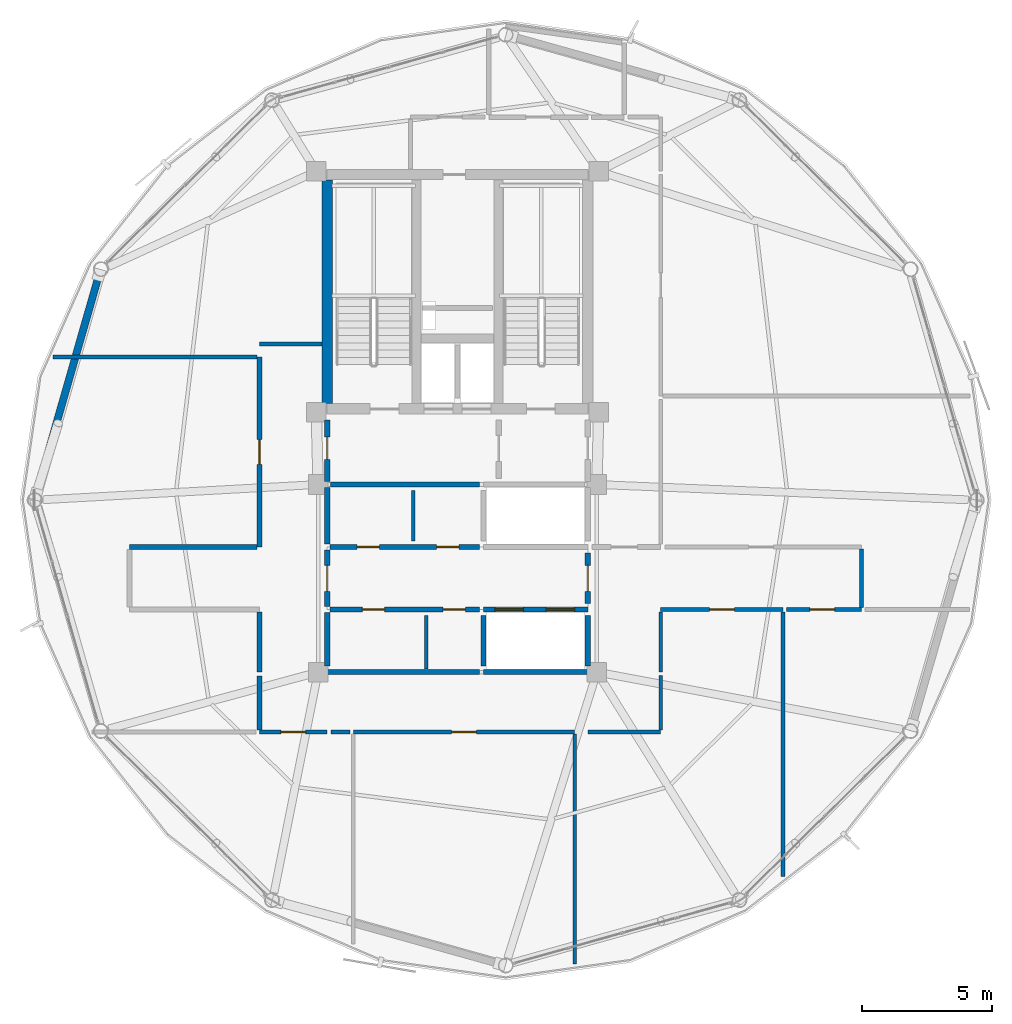
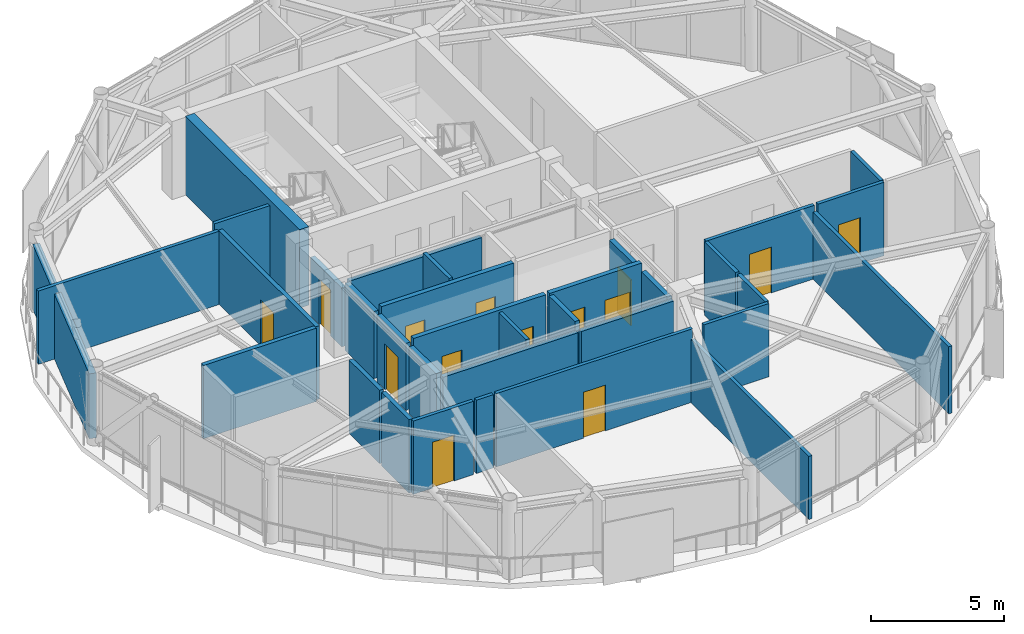
# One storey, part 20 of 26: 34 walls, 14 doors, 14 openings.
"""IFC4 building model written with IfcOpenShell, lengths in metres."""

from ifc_helpers import new_model, si_unit, direction, frame, frame_2d, origin, place, context, subcontext, project, spatial, rectangle, extrude, material, layer, layer_set, type_object, element, fill, save


model = new_model("IFC4")

# Units and contexts
model_context = context("Model", 3, precision=1e-05, world=origin(), true_north=direction((0.0, 1.0)))
body_context = subcontext(model_context, "Body", "Model", "MODEL_VIEW")
ifc_project = project(units=[si_unit("LENGTHUNIT", "METRE"), si_unit("AREAUNIT", "SQUARE_METRE"), si_unit("VOLUMEUNIT", "CUBIC_METRE"), si_unit("PLANEANGLEUNIT", "RADIAN"), si_unit("MASSUNIT", "GRAM", prefix="KILO")], contexts=[model_context])

# Site, building, storey
site_placement = place(None, origin())
site = spatial("IfcSite", under=ifc_project, at=site_placement, CompositionType="ELEMENT")
building_placement = place(site_placement, origin())
building = spatial("IfcBuilding", under=site, at=building_placement, Name="Varnakorn Sky Granary", CompositionType="ELEMENT")
storey_placement = place(building_placement, frame((0.0, 0.0, 270.60009765625)))
storey = spatial("IfcBuildingStorey", under=building, at=storey_placement, Name="L69", CompositionType="ELEMENT", Elevation=270.60009765625)

# Walls
ifc_material_1 = material(Name="Concrete C50/60", Category="concrete")
ifc_layer_1 = layer(ifc_material_1, 0.39990234375, Name="Concrete C50/60")
ifc_layer_set_1 = layer_set([ifc_layer_1], Name="Concrete C50/60")
wall_type_1 = type_object("IfcWallType", Name="WT-CW-SHEAR-400", PredefinedType="SHEAR", material=ifc_layer_set_1)
wall_1_placement = place(storey_placement, frame((-2.0, 3.7099609375, 0.0), z_axis=(0.0, 0.0, 1.0), x_axis=(0.0, 1.0, 0.0)))
element("IfcWall", 1, at=wall_1_placement, inside=storey, type_object=wall_type_1, Name="Core West Shear Wall L69", PredefinedType="SHEAR", context=body_context, shape_type="SweptSolid", body=[
    extrude(rectangle(XDim=8.580078125, YDim=0.39990234375, at=frame_2d((4.2900390625, 0.0))), origin(), (0.0, 0.0, 1.0), 3.591796875),
])
ifc_material_2 = material(Name="Precast concrete C40/50", Category="concrete")
ifc_layer_2 = layer(ifc_material_2, 0.280029296875, Name="Precast concrete C40/50")
ifc_layer_set_2 = layer_set([ifc_layer_2], Name="Precast concrete C40/50")
wall_type_2 = type_object("IfcWallType", Name="WT-EW-CRN-280", PredefinedType="SOLIDWALL", material=ifc_layer_set_2)
wall_2_placement = place(storey_placement, frame((-13.17431640625, 0.225341796875, 0.0), z_axis=(0.0, 0.0, 1.0), x_axis=(0.275406116601, 0.961327972619, 0.0)))
element("IfcWall", 2, at=wall_2_placement, inside=storey, type_object=wall_type_2, Name="Agritech Insulated Precast Facade Wall L69-P06", PredefinedType="SOLIDWALL", context=body_context, shape_type="SweptSolid", body=[
    extrude(rectangle(XDim=8.7548828125, YDim=0.280029296875, at=frame_2d((4.37744140625, 0.0))), origin(), (0.0, 0.0, 1.0), 2.969970703125),
])

# Wall, opening, door
ifc_material_3 = material(Name="Autoclaved Aerated Concrete Blockwork", Category="masonry")
ifc_layer_3 = layer(ifc_material_3, 0.199951171875, Name="Autoclaved Aerated Concrete Blockwork")
ifc_layer_set_3 = layer_set([ifc_layer_3], Name="Autoclaved Aerated Concrete Blockwork")
wall_type_3 = type_object("IfcWallType", Name="WT-FIRE-200", PredefinedType="MOVABLE", material=ifc_layer_set_3)
wall_3_placement = place(storey_placement, frame((-2.0, 0.719970703125, 0.0), z_axis=(0.0, 0.0, 1.0), x_axis=(0.0, 1.0, 0.0)))
wall_3 = element("IfcWall", 3, at=wall_3_placement, inside=storey, type_object=wall_type_3, Name="Interior Partition Wall L69-012", PredefinedType="MOVABLE", context=body_context, shape_type="SweptSolid", body=[
    extrude(rectangle(XDim=2.35009765625, YDim=0.199951171875, at=frame_2d((1.175048828125, 0.0))), origin(), (0.0, 0.0, 1.0), 2.69189453125),
])
opening_1_placement = place(wall_3_placement, frame((0.844970703125, 0.0, 0.0)))
opening_1 = element("IfcOpeningElement", 4, at=opening_1_placement, cuts=wall_3, Name="Opening FD-60N", PredefinedType="OPENING", context=body_context, shape_type="SweptSolid", body=[
    extrude(rectangle(XDim=0.85009765625, YDim=2.10009765625, at=frame_2d((0.425048828125, 1.050048828125))), frame((0.0, 0.10986328125, 0.0), z_axis=(0.0, -1.0, 0.0), x_axis=(1.0, 0.0, 0.0)), (0.0, 0.0, 1.0), 0.219970703125),
])
ifc_material_4 = material(Name="Acoustic Timber Fire Leaf", Category="wood")
door_type_1 = type_object("IfcDoorType", Name="DR-FD60-850", OperationType="NOTDEFINED", PredefinedType="DOOR", material=ifc_material_4)
door_1_placement = place(opening_1_placement, origin())
door_1 = element("IfcDoor", 5, at=door_1_placement, inside=storey, type_object=door_type_1, Name="Interior Door L69-012-1", OperationType="SINGLE_SWING_RIGHT", OverallHeight=2.10009765625, OverallWidth=0.85009765625, PredefinedType="DOOR", context=body_context, shape_type="SweptSolid", body=[
    extrude(rectangle(XDim=0.85009765625, YDim=2.10009765625, at=frame_2d((0.425048828125, 1.050048828125))), frame((0.0, 0.02490234375, 0.0), z_axis=(0.0, -1.0, 0.0), x_axis=(1.0, 0.0, 0.0)), (0.0, 0.0, 1.0), 0.050048828125),
])
fill(opening_1, door_1)

wall_4_placement = place(storey_placement, frame((-2.0, -4.080078125, 0.0), z_axis=(0.0, 0.0, 1.0), x_axis=(0.0, 1.0, 0.0)))
wall_4 = element("IfcWall", 6, at=wall_4_placement, inside=storey, type_object=wall_type_3, Name="Interior Partition Wall L69-014", PredefinedType="MOVABLE", context=body_context, shape_type="SweptSolid", body=[
    extrude(rectangle(XDim=2.16015625, YDim=0.199951171875, at=frame_2d((1.080078125, 0.0))), origin(), (0.0, 0.0, 1.0), 3.072021484375),
])
opening_2_placement = place(wall_4_placement, frame((0.580078125, 0.0, 0.0)))
opening_2 = element("IfcOpeningElement", 7, at=opening_2_placement, cuts=wall_4, Name="Opening FD-60", PredefinedType="OPENING", context=body_context, shape_type="SweptSolid", body=[
    extrude(rectangle(XDim=1.0, YDim=2.10009765625, at=frame_2d((0.5, 1.050048828125))), frame((0.0, 0.10986328125, 0.0), z_axis=(0.0, -1.0, 0.0), x_axis=(1.0, 0.0, 0.0)), (0.0, 0.0, 1.0), 0.219970703125),
])
door_type_2 = type_object("IfcDoorType", Name="DR-FD60-1000", OperationType="NOTDEFINED", PredefinedType="DOOR", material=ifc_material_4)
door_2_placement = place(opening_2_placement, origin())
door_2 = element("IfcDoor", 8, at=door_2_placement, inside=storey, type_object=door_type_2, Name="Interior Door L69-014-1", OperationType="SINGLE_SWING_RIGHT", OverallHeight=2.10009765625, OverallWidth=1.0, PredefinedType="DOOR", context=body_context, shape_type="SweptSolid", body=[
    extrude(rectangle(XDim=1.0, YDim=2.10009765625, at=frame_2d((0.5, 1.050048828125))), frame((0.0, 0.02490234375, 0.0), z_axis=(0.0, -1.0, 0.0), x_axis=(1.0, 0.0, 0.0)), (0.0, 0.0, 1.0), 0.050048828125),
])
fill(opening_2, door_2)

wall_5_placement = place(storey_placement, frame((8.0, -3.969970703125, 0.0), z_axis=(0.0, 0.0, 1.0), x_axis=(0.0, 1.0, 0.0)))
wall_5 = element("IfcWall", 9, at=wall_5_placement, inside=storey, type_object=wall_type_3, Name="Interior Partition Wall L69-015", PredefinedType="MOVABLE", context=body_context, shape_type="SweptSolid", body=[
    extrude(rectangle(XDim=1.93994140625, YDim=0.199951171875, at=frame_2d((0.969970703125, 0.0))), origin(), (0.0, 0.0, 1.0), 3.072021484375),
])
opening_3_placement = place(wall_5_placement, frame((0.469970703125, 0.0, 0.0)))
opening_3 = element("IfcOpeningElement", 10, at=opening_3_placement, cuts=wall_5, Name="Opening FD-60", PredefinedType="OPENING", context=body_context, shape_type="SweptSolid", body=[
    extrude(rectangle(XDim=1.0, YDim=2.10009765625, at=frame_2d((0.5, 1.050048828125))), frame((0.0, 0.10986328125, 0.0), z_axis=(0.0, -1.0, 0.0), x_axis=(1.0, 0.0, 0.0)), (0.0, 0.0, 1.0), 0.219970703125),
])
door_3_placement = place(opening_3_placement, origin())
door_3 = element("IfcDoor", 11, at=door_3_placement, inside=storey, type_object=door_type_2, Name="Interior Door L69-015-1", OperationType="SINGLE_SWING_LEFT", OverallHeight=2.10009765625, OverallWidth=1.0, PredefinedType="DOOR", context=body_context, shape_type="SweptSolid", body=[
    extrude(rectangle(XDim=1.0, YDim=2.10009765625, at=frame_2d((0.5, 1.050048828125))), frame((0.0, 0.02490234375, 0.0), z_axis=(0.0, -1.0, 0.0), x_axis=(1.0, 0.0, 0.0)), (0.0, 0.0, 1.0), 0.050048828125),
])
fill(opening_3, door_3)

# Wall, openings, doors
wall_6_placement = place(storey_placement, frame((-1.889892578125, -1.800048828125, 0.0), z_axis=(0.0, 0.0, 1.0), x_axis=(1.0, 0.0, 0.0)))
wall_6 = element("IfcWall", 12, at=wall_6_placement, inside=storey, type_object=wall_type_3, Name="Interior Partition Wall L69-016", PredefinedType="MOVABLE", context=body_context, shape_type="SweptSolid", body=[
    extrude(rectangle(XDim=5.72998046875, YDim=0.199951171875, at=frame_2d((2.864990234375, 0.0))), origin(), (0.0, 0.0, 1.0), 3.35986328125),
])
opening_4_placement = place(wall_6_placement, frame((1.0400390625, 0.0, 0.0)))
opening_4 = element("IfcOpeningElement", 13, at=opening_4_placement, cuts=wall_6, Name="Opening FD-60N", PredefinedType="OPENING", context=body_context, shape_type="SweptSolid", body=[
    extrude(rectangle(XDim=0.85009765625, YDim=2.10009765625, at=frame_2d((0.425048828125, 1.050048828125))), frame((0.0, 0.10986328125, 0.0), z_axis=(0.0, -1.0, 0.0), x_axis=(1.0, 0.0, 0.0)), (0.0, 0.0, 1.0), 0.219970703125),
])
opening_5_placement = place(wall_6_placement, frame((4.090087890625, 0.0, 0.0)))
opening_5 = element("IfcOpeningElement", 14, at=opening_5_placement, cuts=wall_6, Name="Opening FD-60N", PredefinedType="OPENING", context=body_context, shape_type="SweptSolid", body=[
    extrude(rectangle(XDim=0.85009765625, YDim=2.10009765625, at=frame_2d((0.425048828125, 1.050048828125))), frame((0.0, 0.10986328125, 0.0), z_axis=(0.0, -1.0, 0.0), x_axis=(1.0, 0.0, 0.0)), (0.0, 0.0, 1.0), 0.219970703125),
])
door_4_placement = place(opening_4_placement, origin())
door_4 = element("IfcDoor", 15, at=door_4_placement, inside=storey, type_object=door_type_1, Name="Interior Door L69-016-1", OperationType="SINGLE_SWING_RIGHT", OverallHeight=2.10009765625, OverallWidth=0.85009765625, PredefinedType="DOOR", context=body_context, shape_type="SweptSolid", body=[
    extrude(rectangle(XDim=0.85009765625, YDim=2.10009765625, at=frame_2d((0.425048828125, 1.050048828125))), frame((0.0, 0.02490234375, 0.0), z_axis=(0.0, -1.0, 0.0), x_axis=(1.0, 0.0, 0.0)), (0.0, 0.0, 1.0), 0.050048828125),
])
fill(opening_4, door_4)
door_5_placement = place(opening_5_placement, origin())
door_5 = element("IfcDoor", 16, at=door_5_placement, inside=storey, type_object=door_type_1, Name="Interior Door L69-016-2", OperationType="SINGLE_SWING_LEFT", OverallHeight=2.10009765625, OverallWidth=0.85009765625, PredefinedType="DOOR", context=body_context, shape_type="SweptSolid", body=[
    extrude(rectangle(XDim=0.85009765625, YDim=2.10009765625, at=frame_2d((0.425048828125, 1.050048828125))), frame((0.0, 0.02490234375, 0.0), z_axis=(0.0, -1.0, 0.0), x_axis=(1.0, 0.0, 0.0)), (0.0, 0.0, 1.0), 0.050048828125),
])
fill(opening_5, door_5)

wall_7_placement = place(storey_placement, frame((-1.889892578125, -4.199951171875, 0.0), z_axis=(0.0, 0.0, 1.0), x_axis=(1.0, 0.0, 0.0)))
wall_7 = element("IfcWall", 17, at=wall_7_placement, inside=storey, type_object=wall_type_3, Name="Interior Partition Wall L69-017", PredefinedType="MOVABLE", context=body_context, shape_type="SweptSolid", body=[
    extrude(rectangle(XDim=5.72998046875, YDim=0.199951171875, at=frame_2d((2.864990234375, 0.0))), origin(), (0.0, 0.0, 1.0), 3.35986328125),
])
opening_6_placement = place(wall_7_placement, frame((1.239990234375, 0.0, 0.0)))
opening_6 = element("IfcOpeningElement", 18, at=opening_6_placement, cuts=wall_7, Name="Opening FD-60N", PredefinedType="OPENING", context=body_context, shape_type="SweptSolid", body=[
    extrude(rectangle(XDim=0.85009765625, YDim=2.10009765625, at=frame_2d((0.425048828125, 1.050048828125))), frame((0.0, 0.10986328125, 0.0), z_axis=(0.0, -1.0, 0.0), x_axis=(1.0, 0.0, 0.0)), (0.0, 0.0, 1.0), 0.219970703125),
])
opening_7_placement = place(wall_7_placement, frame((4.340087890625, 0.0, 0.0)))
opening_7 = element("IfcOpeningElement", 19, at=opening_7_placement, cuts=wall_7, Name="Opening FD-60N", PredefinedType="OPENING", context=body_context, shape_type="SweptSolid", body=[
    extrude(rectangle(XDim=0.85009765625, YDim=2.10009765625, at=frame_2d((0.425048828125, 1.050048828125))), frame((0.0, 0.10986328125, 0.0), z_axis=(0.0, -1.0, 0.0), x_axis=(1.0, 0.0, 0.0)), (0.0, 0.0, 1.0), 0.219970703125),
])
door_6_placement = place(opening_6_placement, origin())
door_6 = element("IfcDoor", 20, at=door_6_placement, inside=storey, type_object=door_type_1, Name="Interior Door L69-017-1", OperationType="SINGLE_SWING_RIGHT", OverallHeight=2.10009765625, OverallWidth=0.85009765625, PredefinedType="DOOR", context=body_context, shape_type="SweptSolid", body=[
    extrude(rectangle(XDim=0.85009765625, YDim=2.10009765625, at=frame_2d((0.425048828125, 1.050048828125))), frame((0.0, 0.02490234375, 0.0), z_axis=(0.0, -1.0, 0.0), x_axis=(1.0, 0.0, 0.0)), (0.0, 0.0, 1.0), 0.050048828125),
])
fill(opening_6, door_6)
door_7_placement = place(opening_7_placement, origin())
door_7 = element("IfcDoor", 21, at=door_7_placement, inside=storey, type_object=door_type_1, Name="Interior Door L69-017-2", OperationType="SINGLE_SWING_LEFT", OverallHeight=2.10009765625, OverallWidth=0.85009765625, PredefinedType="DOOR", context=body_context, shape_type="SweptSolid", body=[
    extrude(rectangle(XDim=0.85009765625, YDim=2.10009765625, at=frame_2d((0.425048828125, 1.050048828125))), frame((0.0, 0.02490234375, 0.0), z_axis=(0.0, -1.0, 0.0), x_axis=(1.0, 0.0, 0.0)), (0.0, 0.0, 1.0), 0.050048828125),
])
fill(opening_7, door_7)

# Walls
wall_8_placement = place(storey_placement, frame((-1.8798828125, 0.60009765625, 0.0), z_axis=(0.0, 0.0, 1.0), x_axis=(1.0, 0.0, 0.0)))
element("IfcWall", 22, at=wall_8_placement, inside=storey, type_object=wall_type_3, Name="Interior Partition Wall L69-028", PredefinedType="MOVABLE", context=body_context, shape_type="SweptSolid", body=[
    extrude(rectangle(XDim=5.719970703125, YDim=0.199951171875, at=frame_2d((2.85986328125, 0.0))), origin(), (0.0, 0.0, 1.0), 3.072021484375),
])
wall_9_placement = place(storey_placement, frame((-2.0, -1.679931640625, 0.0), z_axis=(0.0, 0.0, 1.0), x_axis=(0.0, 1.0, 0.0)))
element("IfcWall", 23, at=wall_9_placement, inside=storey, type_object=wall_type_3, Name="Interior Partition Wall L69-030", PredefinedType="MOVABLE", context=body_context, shape_type="SweptSolid", body=[
    extrude(rectangle(XDim=2.159912109375, YDim=0.199951171875, at=frame_2d((1.080078125, 0.0))), origin(), (0.0, 0.0, 1.0), 3.072021484375),
])
wall_10_placement = place(storey_placement, frame((-2.0, -6.60009765625, 0.0), z_axis=(0.0, 0.0, 1.0), x_axis=(1.0, 0.0, 0.0)))
element("IfcWall", 24, at=wall_10_placement, inside=storey, type_object=wall_type_3, Name="Interior Partition Wall L69-032", PredefinedType="MOVABLE", context=body_context, shape_type="SweptSolid", body=[
    extrude(rectangle(XDim=5.840087890625, YDim=0.199951171875, at=frame_2d((2.919921875, 0.0))), origin(), (0.0, 0.0, 1.0), 3.072021484375),
])
wall_11_placement = place(storey_placement, frame((-2.0, -6.3701171875, 0.0), z_axis=(0.0, 0.0, 1.0), x_axis=(0.0, 1.0, 0.0)))
element("IfcWall", 25, at=wall_11_placement, inside=storey, type_object=wall_type_3, Name="Interior Partition Wall L69-033", PredefinedType="MOVABLE", context=body_context, shape_type="SweptSolid", body=[
    extrude(rectangle(XDim=2.050048828125, YDim=0.199951171875, at=frame_2d((1.02490234375, 0.0))), origin(), (0.0, 0.0, 1.0), 3.072021484375),
])

# Wall, opening, door
ifc_material_5 = material(Name="Gypsum Plasterboard on Steel Stud", Category="steel")
ifc_layer_4 = layer(ifc_material_5, 0.14990234375, Name="Gypsum Plasterboard on Steel Stud")
ifc_layer_set_4 = layer_set([ifc_layer_4], Name="Gypsum Plasterboard on Steel Stud")
wall_type_4 = type_object("IfcWallType", Name="WT-PART-150", PredefinedType="PARTITIONING", material=ifc_layer_set_4)
wall_12_placement = place(storey_placement, frame((-4.60009765625, -8.89990234375, 0.0), z_axis=(0.0, 0.0, 1.0), x_axis=(1.0, 0.0, 0.0)))
wall_12 = element("IfcWall", 26, at=wall_12_placement, inside=storey, type_object=wall_type_4, Name="Interior Partition Wall L69-020", PredefinedType="PARTITIONING", context=body_context, shape_type="SweptSolid", body=[
    extrude(rectangle(XDim=2.60009765625, YDim=0.14990234375, at=frame_2d((1.300048828125, 0.0))), origin(), (0.0, 0.0, 1.0), 3.35986328125),
])
opening_8_placement = place(wall_12_placement, frame((0.824951171875, 0.0, 0.0)))
opening_8 = element("IfcOpeningElement", 27, at=opening_8_placement, cuts=wall_12, Name="Opening ID-95", PredefinedType="OPENING", context=body_context, shape_type="SweptSolid", body=[
    extrude(rectangle(XDim=0.949951171875, YDim=2.10009765625, at=frame_2d((0.47509765625, 1.050048828125))), frame((0.0, 0.0849609375, 0.0), z_axis=(0.0, -1.0, 0.0), x_axis=(1.0, 0.0, 0.0)), (0.0, 0.0, 1.0), 0.169921875),
])
ifc_material_6 = material(Name="Solid-Core Teak Veneer Leaf", Category="timber")
door_type_3 = type_object("IfcDoorType", Name="DR-INT-950", OperationType="NOTDEFINED", PredefinedType="DOOR", material=ifc_material_6)
door_8_placement = place(opening_8_placement, origin())
door_8 = element("IfcDoor", 28, at=door_8_placement, inside=storey, type_object=door_type_3, Name="Interior Door L69-020-1", OperationType="SINGLE_SWING_RIGHT", OverallHeight=2.10009765625, OverallWidth=0.949951171875, PredefinedType="DOOR", context=body_context, shape_type="SweptSolid", body=[
    extrude(rectangle(XDim=0.949951171875, YDim=2.10009765625, at=frame_2d((0.47509765625, 1.050048828125))), frame((0.0, 0.02490234375, 0.0), z_axis=(0.0, -1.0, 0.0), x_axis=(1.0, 0.0, 0.0)), (0.0, 0.0, 1.0), 0.050048828125),
])
fill(opening_8, door_8)

wall_13_placement = place(storey_placement, frame((-1.0, -8.89990234375, 0.0), z_axis=(0.0, 0.0, 1.0), x_axis=(1.0, 0.0, 0.0)))
wall_13 = element("IfcWall", 29, at=wall_13_placement, inside=storey, type_object=wall_type_4, Name="Interior Partition Wall L69-021", PredefinedType="PARTITIONING", context=body_context, shape_type="SweptSolid", body=[
    extrude(rectangle(XDim=8.5, YDim=0.14990234375, at=frame_2d((4.25, 0.0))), origin(), (0.0, 0.0, 1.0), 3.35986328125),
])
opening_9_placement = place(wall_13_placement, frame((3.77490234375, 0.0, 0.0)))
opening_9 = element("IfcOpeningElement", 30, at=opening_9_placement, cuts=wall_13, Name="Opening ID-95", PredefinedType="OPENING", context=body_context, shape_type="SweptSolid", body=[
    extrude(rectangle(XDim=0.949951171875, YDim=2.10009765625, at=frame_2d((0.47509765625, 1.050048828125))), frame((0.0, 0.0849609375, 0.0), z_axis=(0.0, -1.0, 0.0), x_axis=(1.0, 0.0, 0.0)), (0.0, 0.0, 1.0), 0.169921875),
])
door_9_placement = place(opening_9_placement, origin())
door_9 = element("IfcDoor", 31, at=door_9_placement, inside=storey, type_object=door_type_3, Name="Interior Door L69-021-1", OperationType="SINGLE_SWING_LEFT", OverallHeight=2.10009765625, OverallWidth=0.949951171875, PredefinedType="DOOR", context=body_context, shape_type="SweptSolid", body=[
    extrude(rectangle(XDim=0.949951171875, YDim=2.10009765625, at=frame_2d((0.47509765625, 1.050048828125))), frame((0.0, 0.02490234375, 0.0), z_axis=(0.0, -1.0, 0.0), x_axis=(1.0, 0.0, 0.0)), (0.0, 0.0, 1.0), 0.050048828125),
])
fill(opening_9, door_9)

wall_14_placement = place(storey_placement, frame((10.800048828125, -4.199951171875, 0.0), z_axis=(0.0, 0.0, 1.0), x_axis=(1.0, 0.0, 0.0)))
wall_14 = element("IfcWall", 32, at=wall_14_placement, inside=storey, type_object=wall_type_4, Name="Interior Partition Wall L69-022", PredefinedType="PARTITIONING", context=body_context, shape_type="SweptSolid", body=[
    extrude(rectangle(XDim=4.699951171875, YDim=0.14990234375, at=frame_2d((2.35009765625, 0.0))), origin(), (0.0, 0.0, 1.0), 3.35986328125),
])
opening_10_placement = place(wall_14_placement, frame((1.875, 0.0, 0.0)))
opening_10 = element("IfcOpeningElement", 33, at=opening_10_placement, cuts=wall_14, Name="Opening ID-95", PredefinedType="OPENING", context=body_context, shape_type="SweptSolid", body=[
    extrude(rectangle(XDim=0.949951171875, YDim=2.10009765625, at=frame_2d((0.47509765625, 1.050048828125))), frame((0.0, 0.0849609375, 0.0), z_axis=(0.0, -1.0, 0.0), x_axis=(1.0, 0.0, 0.0)), (0.0, 0.0, 1.0), 0.169921875),
])
door_10_placement = place(opening_10_placement, origin())
door_10 = element("IfcDoor", 34, at=door_10_placement, inside=storey, type_object=door_type_3, Name="Interior Door L69-022-1", OperationType="SINGLE_SWING_RIGHT", OverallHeight=2.10009765625, OverallWidth=0.949951171875, PredefinedType="DOOR", context=body_context, shape_type="SweptSolid", body=[
    extrude(rectangle(XDim=0.949951171875, YDim=2.10009765625, at=frame_2d((0.47509765625, 1.050048828125))), frame((0.0, 0.02490234375, 0.0), z_axis=(0.0, -1.0, 0.0), x_axis=(1.0, 0.0, 0.0)), (0.0, 0.0, 1.0), 0.050048828125),
])
fill(opening_10, door_10)

wall_15_placement = place(storey_placement, frame((15.635009765625, -4.199951171875, 0.0), z_axis=(0.0, 0.0, 1.0), x_axis=(1.0, 0.0, 0.0)))
wall_15 = element("IfcWall", 35, at=wall_15_placement, inside=storey, type_object=wall_type_4, Name="Interior Partition Wall L69-023", PredefinedType="PARTITIONING", context=body_context, shape_type="SweptSolid", body=[
    extrude(rectangle(XDim=2.864990234375, YDim=0.14990234375, at=frame_2d((1.4326171875, 0.0))), origin(), (0.0, 0.0, 1.0), 3.35986328125),
])
opening_11_placement = place(wall_15_placement, frame((0.889892578125, 0.0, 0.0)))
opening_11 = element("IfcOpeningElement", 36, at=opening_11_placement, cuts=wall_15, Name="Opening ID-95", PredefinedType="OPENING", context=body_context, shape_type="SweptSolid", body=[
    extrude(rectangle(XDim=0.949951171875, YDim=2.10009765625, at=frame_2d((0.47509765625, 1.050048828125))), frame((0.0, 0.0849609375, 0.0), z_axis=(0.0, -1.0, 0.0), x_axis=(1.0, 0.0, 0.0)), (0.0, 0.0, 1.0), 0.169921875),
])
door_11_placement = place(opening_11_placement, origin())
door_11 = element("IfcDoor", 37, at=door_11_placement, inside=storey, type_object=door_type_3, Name="Interior Door L69-023-1", OperationType="SINGLE_SWING_LEFT", OverallHeight=2.10009765625, OverallWidth=0.949951171875, PredefinedType="DOOR", context=body_context, shape_type="SweptSolid", body=[
    extrude(rectangle(XDim=0.949951171875, YDim=2.10009765625, at=frame_2d((0.47509765625, 1.050048828125))), frame((0.0, 0.02490234375, 0.0), z_axis=(0.0, -1.0, 0.0), x_axis=(1.0, 0.0, 0.0)), (0.0, 0.0, 1.0), 0.050048828125),
])
fill(opening_11, door_11)

# Walls
wall_16_placement = place(storey_placement, frame((1.300048828125, -1.570068359375, 0.0), z_axis=(0.0, 0.0, 1.0), x_axis=(0.0, 1.0, 0.0)))
element("IfcWall", 38, at=wall_16_placement, inside=storey, type_object=wall_type_4, Name="Interior Partition Wall L69-029", PredefinedType="PARTITIONING", context=body_context, shape_type="SweptSolid", body=[
    extrude(rectangle(XDim=1.940185546875, YDim=0.14990234375, at=frame_2d((0.97021484375, 0.0))), origin(), (0.0, 0.0, 1.0), 3.35986328125),
])
wall_17_placement = place(storey_placement, frame((1.800048828125, -6.47998046875, 0.0), z_axis=(0.0, 0.0, 1.0), x_axis=(0.0, 1.0, 0.0)))
element("IfcWall", 39, at=wall_17_placement, inside=storey, type_object=wall_type_4, Name="Interior Partition Wall L69-031", PredefinedType="PARTITIONING", context=body_context, shape_type="SweptSolid", body=[
    extrude(rectangle(XDim=2.050048828125, YDim=0.14990234375, at=frame_2d((1.02490234375, 0.0))), origin(), (0.0, 0.0, 1.0), 3.35986328125),
])
wall_18_placement = place(storey_placement, frame((-1.864990234375, -8.89990234375, 0.0), z_axis=(0.0, 0.0, 1.0), x_axis=(1.0, 0.0, 0.0)))
element("IfcWall", 40, at=wall_18_placement, inside=storey, type_object=wall_type_4, Name="Interior Partition Wall L69-035", PredefinedType="PARTITIONING", context=body_context, shape_type="SweptSolid", body=[
    extrude(rectangle(XDim=0.72998046875, YDim=0.14990234375, at=frame_2d((0.364990234375, 0.0))), origin(), (0.0, 0.0, 1.0), 3.35986328125),
])
wall_19_placement = place(storey_placement, frame((7.5, -8.985107421875, 0.0), z_axis=(0.0, 0.0, 1.0), x_axis=(0.0, -1.0, 0.0)))
element("IfcWall", 41, at=wall_19_placement, inside=storey, type_object=wall_type_4, Name="Interior Partition Wall L69-038", PredefinedType="PARTITIONING", context=body_context, shape_type="SweptSolid", body=[
    extrude(rectangle(XDim=8.823974609375, YDim=0.14990234375, at=frame_2d((4.412109375, 0.0))), origin(), (0.0, 0.0, 1.0), 2.891845703125),
])
wall_20_placement = place(storey_placement, frame((8.0, -8.89990234375, 0.0), z_axis=(0.0, 0.0, 1.0), x_axis=(1.0, 0.0, 0.0)))
element("IfcWall", 42, at=wall_20_placement, inside=storey, type_object=wall_type_4, Name="Interior Partition Wall L69-039", PredefinedType="PARTITIONING", context=body_context, shape_type="SweptSolid", body=[
    extrude(rectangle(XDim=2.800048828125, YDim=0.14990234375, at=frame_2d((1.39990234375, 0.0))), origin(), (0.0, 0.0, 1.0), 3.35986328125),
])
wall_21_placement = place(storey_placement, frame((10.800048828125, -6.60009765625, 0.0), z_axis=(0.0, 0.0, 1.0), x_axis=(0.0, 1.0, 0.0)))
element("IfcWall", 43, at=wall_21_placement, inside=storey, type_object=wall_type_4, Name="Interior Partition Wall L69-040", PredefinedType="PARTITIONING", context=body_context, shape_type="SweptSolid", body=[
    extrude(rectangle(XDim=2.315185546875, YDim=0.14990234375, at=frame_2d((1.15771484375, 0.0))), origin(), (0.0, 0.0, 1.0), 3.35986328125),
])
wall_22_placement = place(storey_placement, frame((10.800048828125, -8.81494140625, 0.0), z_axis=(0.0, 0.0, 1.0), x_axis=(0.0, 1.0, 0.0)))
element("IfcWall", 44, at=wall_22_placement, inside=storey, type_object=wall_type_4, Name="Interior Partition Wall L69-041", PredefinedType="PARTITIONING", context=body_context, shape_type="SweptSolid", body=[
    extrude(rectangle(XDim=2.079833984375, YDim=0.14990234375, at=frame_2d((1.0400390625, 0.0))), origin(), (0.0, 0.0, 1.0), 3.35986328125),
])
wall_23_placement = place(storey_placement, frame((15.5, -4.284912109375, 0.0), z_axis=(0.0, 0.0, 1.0), x_axis=(0.0, -1.0, 0.0)))
element("IfcWall", 45, at=wall_23_placement, inside=storey, type_object=wall_type_4, Name="Interior Partition Wall L69-042", PredefinedType="PARTITIONING", context=body_context, shape_type="SweptSolid", body=[
    extrude(rectangle(XDim=10.16796875, YDim=0.14990234375, at=frame_2d((5.083984375, 0.0))), origin(), (0.0, 0.0, 1.0), 3.072021484375),
])
wall_24_placement = place(storey_placement, frame((-12.52197265625, 5.5, 0.0), z_axis=(0.0, 0.0, 1.0), x_axis=(1.0, 0.0, 0.0)))
element("IfcWall", 46, at=wall_24_placement, inside=storey, type_object=wall_type_4, Name="Interior Partition Wall L69-049", PredefinedType="PARTITIONING", context=body_context, shape_type="SweptSolid", body=[
    extrude(rectangle(XDim=7.822021484375, YDim=0.14990234375, at=frame_2d((3.9111328125, 0.0))), origin(), (0.0, 0.0, 1.0), 3.35986328125),
])
wall_25_placement = place(storey_placement, frame((-2.2099609375, 6.0, 0.0), z_axis=(0.0, 0.0, 1.0), x_axis=(-1.0, 0.0, 0.0)))
element("IfcWall", 47, at=wall_25_placement, inside=storey, type_object=wall_type_4, Name="Interior Partition Wall L69-051", PredefinedType="PARTITIONING", context=body_context, shape_type="SweptSolid", body=[
    extrude(rectangle(XDim=2.39013671875, YDim=0.14990234375, at=frame_2d((1.195068359375, 0.0))), origin(), (0.0, 0.0, 1.0), 3.35986328125),
])
wall_26_placement = place(storey_placement, frame((18.5, -4.114990234375, 0.0), z_axis=(0.0, 0.0, 1.0), x_axis=(0.0, 1.0, 0.0)))
element("IfcWall", 48, at=wall_26_placement, inside=storey, type_object=wall_type_4, Name="Interior Partition Wall L69-053", PredefinedType="PARTITIONING", context=body_context, shape_type="SweptSolid", body=[
    extrude(rectangle(XDim=2.22998046875, YDim=0.14990234375, at=frame_2d((1.114990234375, 0.0))), origin(), (0.0, 0.0, 1.0), 3.35986328125),
])

# Wall, opening, door
ifc_material_7 = material(Name="Moisture-Resistant Gypsum on Stud", Category="gypsum")
ifc_layer_5 = layer(ifc_material_7, 0.179931640625, Name="Moisture-Resistant Gypsum on Stud")
ifc_layer_set_5 = layer_set([ifc_layer_5], Name="Moisture-Resistant Gypsum on Stud")
wall_type_5 = type_object("IfcWallType", Name="WT-PLUMB-180", PredefinedType="PLUMBINGWALL", material=ifc_layer_set_5)
wall_27_placement = place(storey_placement, frame((-4.60009765625, 5.5, 0.0), z_axis=(0.0, 0.0, 1.0), x_axis=(0.0, -1.0, 0.0)))
wall_27 = element("IfcWall", 49, at=wall_27_placement, inside=storey, type_object=wall_type_5, Name="Interior Partition Wall L69-024", PredefinedType="PLUMBINGWALL", context=body_context, shape_type="SweptSolid", body=[
    extrude(rectangle(XDim=7.300048828125, YDim=0.179931640625, at=frame_2d((3.64990234375, 0.0))), origin(), (0.0, 0.0, 1.0), 3.35986328125),
])
opening_12_placement = place(wall_27_placement, frame((3.175048828125, 0.0, 0.0)))
opening_12 = element("IfcOpeningElement", 50, at=opening_12_placement, cuts=wall_27, Name="Opening ID-95", PredefinedType="OPENING", context=body_context, shape_type="SweptSolid", body=[
    extrude(rectangle(XDim=0.949951171875, YDim=2.10009765625, at=frame_2d((0.47509765625, 1.050048828125))), frame((0.0, 0.10009765625, 0.0), z_axis=(0.0, -1.0, 0.0), x_axis=(1.0, 0.0, 0.0)), (0.0, 0.0, 1.0), 0.199951171875),
])
door_12_placement = place(opening_12_placement, origin())
door_12 = element("IfcDoor", 51, at=door_12_placement, inside=storey, type_object=door_type_3, Name="Interior Door L69-024-1", OperationType="SINGLE_SWING_RIGHT", OverallHeight=2.10009765625, OverallWidth=0.949951171875, PredefinedType="DOOR", context=body_context, shape_type="SweptSolid", body=[
    extrude(rectangle(XDim=0.949951171875, YDim=2.10009765625, at=frame_2d((0.47509765625, 1.050048828125))), frame((0.0, 0.02490234375, 0.0), z_axis=(0.0, -1.0, 0.0), x_axis=(1.0, 0.0, 0.0)), (0.0, 0.0, 1.0), 0.050048828125),
])
fill(opening_12, door_12)

# Walls
wall_28_placement = place(storey_placement, frame((-4.699951171875, -1.800048828125, 0.0), z_axis=(0.0, 0.0, 1.0), x_axis=(-1.0, 0.0, 0.0)))
element("IfcWall", 52, at=wall_28_placement, inside=storey, type_object=wall_type_5, Name="Interior Partition Wall L69-044", PredefinedType="PLUMBINGWALL", context=body_context, shape_type="SweptSolid", body=[
    extrude(rectangle(XDim=4.88916015625, YDim=0.179931640625, at=frame_2d((2.444580078125, 0.0))), origin(), (0.0, 0.0, 1.0), 3.35986328125),
])
wall_29_placement = place(storey_placement, frame((-4.60009765625, -4.300048828125, 0.0), z_axis=(0.0, 0.0, 1.0), x_axis=(0.0, -1.0, 0.0)))
element("IfcWall", 53, at=wall_29_placement, inside=storey, type_object=wall_type_5, Name="Interior Partition Wall L69-047", PredefinedType="PLUMBINGWALL", context=body_context, shape_type="SweptSolid", body=[
    extrude(rectangle(XDim=2.300048828125, YDim=0.179931640625, at=frame_2d((1.14990234375, 0.0))), origin(), (0.0, 0.0, 1.0), 3.35986328125),
])
wall_30_placement = place(storey_placement, frame((-4.60009765625, -6.75, 0.0), z_axis=(0.0, 0.0, 1.0), x_axis=(0.0, -1.0, 0.0)))
element("IfcWall", 54, at=wall_30_placement, inside=storey, type_object=wall_type_5, Name="Interior Partition Wall L69-048", PredefinedType="PLUMBINGWALL", context=body_context, shape_type="SweptSolid", body=[
    extrude(rectangle(XDim=2.06494140625, YDim=0.179931640625, at=frame_2d((1.032470703125, 0.0))), origin(), (0.0, 0.0, 1.0), 3.35986328125),
])

# Wall, openings, doors
ifc_layer_6 = layer(ifc_material_3, 0.199951171875, Name="Autoclaved Aerated Concrete Blockwork")
ifc_layer_set_6 = layer_set([ifc_layer_6], Name="Autoclaved Aerated Concrete Blockwork")
wall_type_6 = type_object("IfcWallType", Name="WT-SHAFT-200", PredefinedType="SOLIDWALL", material=ifc_layer_set_6)
wall_31_placement = place(storey_placement, frame((4.0, -4.199951171875, 0.0), z_axis=(0.0, 0.0, 1.0), x_axis=(1.0, 0.0, 0.0)))
wall_31 = element("IfcWall", 55, at=wall_31_placement, inside=storey, type_object=wall_type_6, Name="Interior Partition Wall L69-007", PredefinedType="SOLIDWALL", context=body_context, shape_type="SweptSolid", body=[
    extrude(rectangle(XDim=4.0, YDim=0.199951171875, at=frame_2d((2.0, 0.0))), origin(), (0.0, 0.0, 1.0), 3.35986328125),
])
opening_13_placement = place(wall_31_placement, frame((0.429931640625, 0.0, 0.0)))
opening_13 = element("IfcOpeningElement", 56, at=opening_13_placement, cuts=wall_31, Name="Opening LD-01", PredefinedType="OPENING", context=body_context, shape_type="SweptSolid", body=[
    extrude(rectangle(XDim=1.10009765625, YDim=2.199951171875, at=frame_2d((0.550048828125, 1.10009765625))), frame((0.0, 0.10986328125, 0.0), z_axis=(0.0, -1.0, 0.0), x_axis=(1.0, 0.0, 0.0)), (0.0, 0.0, 1.0), 0.219970703125),
])
opening_14_placement = place(wall_31_placement, frame((2.39990234375, 0.0, 0.0)))
opening_14 = element("IfcOpeningElement", 57, at=opening_14_placement, cuts=wall_31, Name="Opening LD-01", PredefinedType="OPENING", context=body_context, shape_type="SweptSolid", body=[
    extrude(rectangle(XDim=1.10009765625, YDim=2.199951171875, at=frame_2d((0.550048828125, 1.10009765625))), frame((0.0, 0.10986328125, 0.0), z_axis=(0.0, -1.0, 0.0), x_axis=(1.0, 0.0, 0.0)), (0.0, 0.0, 1.0), 0.219970703125),
])
ifc_material_8 = material(Name="Brushed Bronze Stainless Steel", Category="steel")
door_type_4 = type_object("IfcDoorType", Name="DR-LD-1100", OperationType="DOUBLE_DOOR_SLIDING", PredefinedType="DOOR", material=ifc_material_8)
door_13_placement = place(opening_13_placement, origin())
door_13 = element("IfcDoor", 58, at=door_13_placement, inside=storey, type_object=door_type_4, Name="Passenger Lift PL-H1 Sliding Landing Door L69", OperationType="DOUBLE_DOOR_SLIDING", OverallHeight=2.199951171875, OverallWidth=1.10009765625, PredefinedType="DOOR", context=body_context, shape_type="SweptSolid", body=[
    extrude(rectangle(XDim=1.10009765625, YDim=2.199951171875, at=frame_2d((0.550048828125, 1.10009765625))), frame((0.0, 0.02490234375, 0.0), z_axis=(0.0, -1.0, 0.0), x_axis=(1.0, 0.0, 0.0)), (0.0, 0.0, 1.0), 0.050048828125),
])
fill(opening_13, door_13)
door_14_placement = place(opening_14_placement, origin())
door_14 = element("IfcDoor", 59, at=door_14_placement, inside=storey, type_object=door_type_4, Name="Passenger Lift PL-H2 Sliding Landing Door L69", OperationType="DOUBLE_DOOR_SLIDING", OverallHeight=2.199951171875, OverallWidth=1.10009765625, PredefinedType="DOOR", context=body_context, shape_type="SweptSolid", body=[
    extrude(rectangle(XDim=1.10009765625, YDim=2.199951171875, at=frame_2d((0.550048828125, 1.10009765625))), frame((0.0, 0.02490234375, 0.0), z_axis=(0.0, -1.0, 0.0), x_axis=(1.0, 0.0, 0.0)), (0.0, 0.0, 1.0), 0.050048828125),
])
fill(opening_14, door_14)

# Walls
wall_32_placement = place(storey_placement, frame((4.0, -6.60009765625, 0.0), z_axis=(0.0, 0.0, 1.0), x_axis=(1.0, 0.0, 0.0)))
element("IfcWall", 60, at=wall_32_placement, inside=storey, type_object=wall_type_6, Name="Interior Partition Wall L69-008", PredefinedType="SOLIDWALL", context=body_context, shape_type="SweptSolid", body=[
    extrude(rectangle(XDim=4.0, YDim=0.199951171875, at=frame_2d((2.0, 0.0))), origin(), (0.0, 0.0, 1.0), 3.072021484375),
])
wall_33_placement = place(storey_placement, frame((4.0, -6.3701171875, 0.0), z_axis=(0.0, 0.0, 1.0), x_axis=(0.0, 1.0, 0.0)))
element("IfcWall", 61, at=wall_33_placement, inside=storey, type_object=wall_type_6, Name="Interior Partition Wall L69-009", PredefinedType="SOLIDWALL", context=body_context, shape_type="SweptSolid", body=[
    extrude(rectangle(XDim=1.940185546875, YDim=0.199951171875, at=frame_2d((0.97021484375, 0.0))), origin(), (0.0, 0.0, 1.0), 3.35986328125),
])
wall_34_placement = place(storey_placement, frame((8.0, -6.3701171875, 0.0), z_axis=(0.0, 0.0, 1.0), x_axis=(0.0, 1.0, 0.0)))
element("IfcWall", 62, at=wall_34_placement, inside=storey, type_object=wall_type_6, Name="Interior Partition Wall L69-010", PredefinedType="SOLIDWALL", context=body_context, shape_type="SweptSolid", body=[
    extrude(rectangle(XDim=1.940185546875, YDim=0.199951171875, at=frame_2d((0.97021484375, 0.0))), origin(), (0.0, 0.0, 1.0), 3.072021484375),
])

save(model, "model.ifc")
